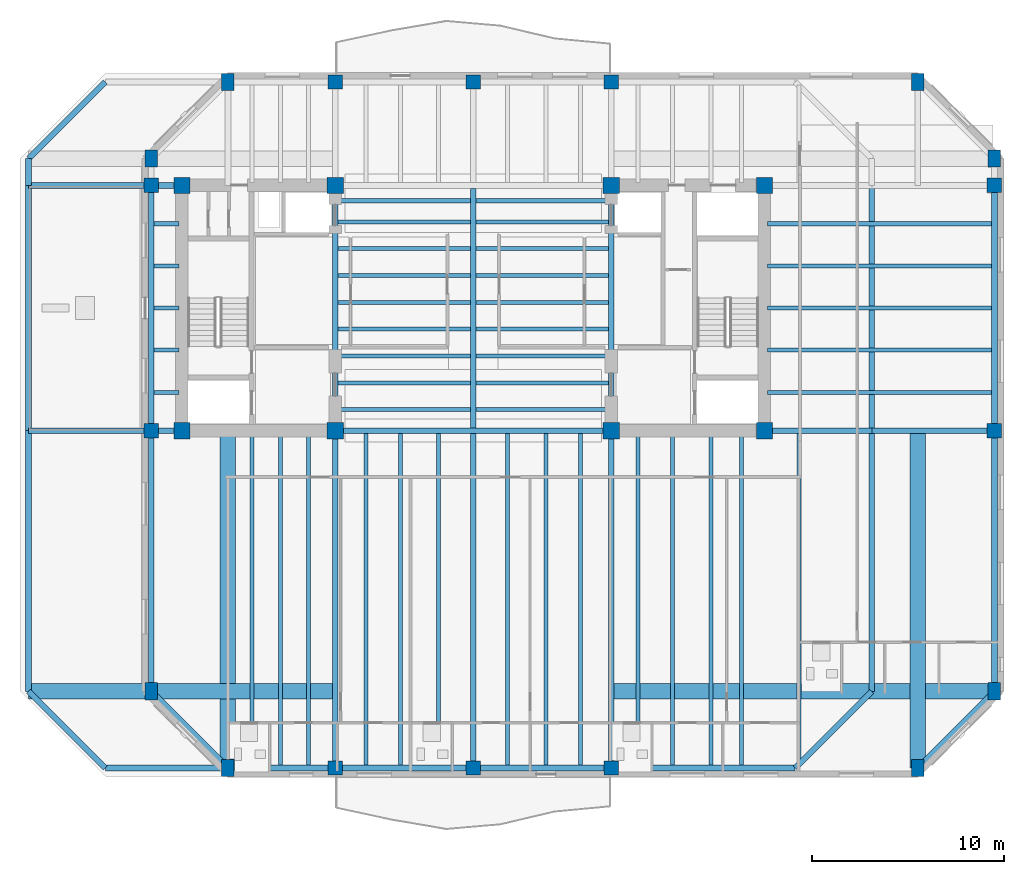
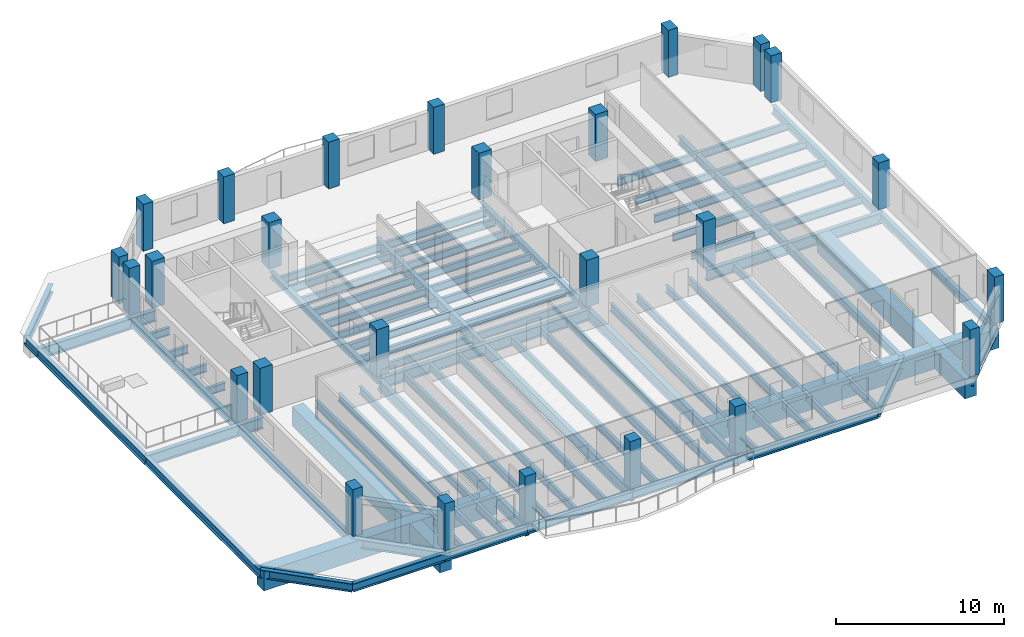
# One storey, part 1 of 11: 75 beams, 26 columns.
"""IFC4 building model written with IfcOpenShell, lengths in metres."""

from ifc_helpers import new_model, si_unit, direction, frame, origin, origin_2d, place, context, subcontext, project, spatial, rectangle, i_section, extrude, material, material_profile, profile_set, type_object, element, save


model = new_model("IFC4")

# Units and contexts
model_context = context("Model", 3, precision=1e-05, world=origin(), true_north=direction((0.0, 1.0)))
body_context = subcontext(model_context, "Body", "Model", "MODEL_VIEW")
ifc_project = project(units=[si_unit("LENGTHUNIT", "METRE"), si_unit("AREAUNIT", "SQUARE_METRE"), si_unit("VOLUMEUNIT", "CUBIC_METRE"), si_unit("PLANEANGLEUNIT", "RADIAN"), si_unit("MASSUNIT", "GRAM", prefix="KILO")], contexts=[model_context])

# Site, building, storey
site_placement = place(None, origin())
site = spatial("IfcSite", under=ifc_project, at=site_placement, CompositionType="ELEMENT")
building_placement = place(site_placement, origin())
building = spatial("IfcBuilding", under=site, at=building_placement, Name="Kranthara Brick Stack", CompositionType="ELEMENT")
storey_placement = place(building_placement, frame((0.0, 0.0, 227.89990234375)))
storey = spatial("IfcBuildingStorey", under=building, at=storey_placement, Name="L59", CompositionType="ELEMENT", Elevation=227.89990234375)

# Columns
ifc_material_1 = material(Name="Concrete C50/60", Category="concrete")
ifc_material_profile_1 = material_profile(ifc_material_1, rectangle(XDim=0.64990234375, YDim=0.89990234375, at=origin_2d()), Name="RC 650x900")
ifc_profile_set_1 = profile_set([ifc_material_profile_1], Name="Concrete C50/60")
column_type_1 = type_object("IfcColumnType", Name="COL-CHAM-650x900", PredefinedType="COLUMN", material=ifc_profile_set_1)
for number, where, z_axis, x_axis, name in (
    (1, (15.199951171875, 3.199951171875, 0.0), (0.0, 0.0, 1.0), (1.0, 0.0, 0.0), "L59 Column 09"),
    (2, (15.199951171875, 39.0, 0.0), (0.0, 0.0, 1.0), (1.0, 0.0, 0.0), "L59 Column 10"),
    (3, (51.199951171875, 3.199951171875, 0.0), (0.0, 0.0, 1.0), (1.0, 0.0, 0.0), "L59 Column 17"),
    (4, (51.199951171875, 39.0, 0.0), (0.0, 0.0, 1.0), (1.0, 0.0, 0.0), "L59 Column 18"),
    (5, (11.199951171875, 7.199951171875, 0.0), (0.0, 0.0, 1.0), (1.0, 0.0, 0.0), "L59 Column 19"),
    (6, (55.199951171875, 7.199951171875, 0.0), (0.0, 0.0, 1.0), (1.0, 0.0, 0.0), "L59 Column 20"),
    (7, (11.199951171875, 35.0, 0.0), (0.0, 0.0, 1.0), (1.0, 0.0, 0.0), "L59 Column 25"),
    (8, (55.199951171875, 35.0, 0.0), (0.0, 0.0, 1.0), (1.0, 0.0, 0.0), "L59 Column 26"),
):
    element("IfcColumn", number, at=place(storey_placement, frame(where, z_axis=z_axis, x_axis=x_axis)), inside=storey, type_object=column_type_1, Name=name, PredefinedType="COLUMN", context=body_context, shape_type="SweptSolid", body=[
        extrude(rectangle(XDim=0.64990234375, YDim=0.89990234375, at=origin_2d()), origin(), (0.0, 0.0, 1.0), 3.400146484375),
    ])
ifc_material_2 = material(Name="Concrete C50/60", Category="concrete")
ifc_material_profile_2 = material_profile(ifc_material_2, rectangle(XDim=0.85009765625, YDim=0.85009765625, at=origin_2d()), Name="RC 850x850")
ifc_profile_set_2 = profile_set([ifc_material_profile_2], Name="Concrete C50/60")
column_type_2 = type_object("IfcColumnType", Name="COL-CORE-850", PredefinedType="COLUMN", material=ifc_profile_set_2)
for number, where, z_axis, x_axis, name in (
    (9, (12.800048828125, 20.800048828125, 0.0), (0.0, 0.0, 1.0), (1.0, 0.0, 0.0), "L59 Column 01"),
    (10, (20.800048828125, 20.800048828125, 0.0), (0.0, 0.0, 1.0), (1.0, 0.0, 0.0), "L59 Column 02"),
    (11, (12.800048828125, 33.60009765625, 0.0), (0.0, 0.0, 1.0), (1.0, 0.0, 0.0), "L59 Column 03"),
    (12, (20.800048828125, 33.60009765625, 0.0), (0.0, 0.0, 1.0), (1.0, 0.0, 0.0), "L59 Column 04"),
    (13, (35.199951171875, 20.800048828125, 0.0), (0.0, 0.0, 1.0), (1.0, 0.0, 0.0), "L59 Column 05"),
    (14, (43.199951171875, 20.800048828125, 0.0), (0.0, 0.0, 1.0), (1.0, 0.0, 0.0), "L59 Column 06"),
    (15, (35.199951171875, 33.60009765625, 0.0), (0.0, 0.0, 1.0), (1.0, 0.0, 0.0), "L59 Column 07"),
    (16, (43.199951171875, 33.60009765625, 0.0), (0.0, 0.0, 1.0), (1.0, 0.0, 0.0), "L59 Column 08"),
):
    element("IfcColumn", number, at=place(storey_placement, frame(where, z_axis=z_axis, x_axis=x_axis)), inside=storey, type_object=column_type_2, Name=name, PredefinedType="COLUMN", context=body_context, shape_type="SweptSolid", body=[
        extrude(rectangle(XDim=0.85009765625, YDim=0.85009765625, at=origin_2d()), origin(), (0.0, 0.0, 1.0), 3.400146484375),
    ])
ifc_material_3 = material(Name="Concrete C50/60", Category="concrete")
ifc_material_profile_3 = material_profile(ifc_material_3, rectangle(XDim=0.75, YDim=0.75, at=origin_2d()), Name="RC 750x750")
ifc_profile_set_3 = profile_set([ifc_material_profile_3], Name="Concrete C50/60")
column_type_3 = type_object("IfcColumnType", Name="COL-PER-750", PredefinedType="COLUMN", material=ifc_profile_set_3)
for number, where, z_axis, x_axis, name in (
    (17, (20.800048828125, 3.199951171875, 0.0), (0.0, 0.0, 1.0), (1.0, 0.0, 0.0), "L59 Column 11"),
    (18, (20.800048828125, 39.0, 0.0), (0.0, 0.0, 1.0), (1.0, 0.0, 0.0), "L59 Column 12"),
    (19, (28.0, 3.199951171875, 0.0), (0.0, 0.0, 1.0), (1.0, 0.0, 0.0), "L59 Column 13"),
    (20, (28.0, 39.0, 0.0), (0.0, 0.0, 1.0), (1.0, 0.0, 0.0), "L59 Column 14"),
    (21, (35.199951171875, 3.199951171875, 0.0), (0.0, 0.0, 1.0), (1.0, 0.0, 0.0), "L59 Column 15"),
    (22, (35.199951171875, 39.0, 0.0), (0.0, 0.0, 1.0), (1.0, 0.0, 0.0), "L59 Column 16"),
    (23, (11.199951171875, 20.800048828125, 0.0), (0.0, 0.0, 1.0), (1.0, 0.0, 0.0), "L59 Column 21"),
    (24, (55.199951171875, 20.800048828125, 0.0), (0.0, 0.0, 1.0), (1.0, 0.0, 0.0), "L59 Column 22"),
    (25, (11.199951171875, 33.60009765625, 0.0), (0.0, 0.0, 1.0), (1.0, 0.0, 0.0), "L59 Column 23"),
    (26, (55.199951171875, 33.60009765625, 0.0), (0.0, 0.0, 1.0), (1.0, 0.0, 0.0), "L59 Column 24"),
):
    element("IfcColumn", number, at=place(storey_placement, frame(where, z_axis=z_axis, x_axis=x_axis)), inside=storey, type_object=column_type_3, Name=name, PredefinedType="COLUMN", context=body_context, shape_type="SweptSolid", body=[
        extrude(rectangle(XDim=0.75, YDim=0.75, at=origin_2d()), origin(), (0.0, 0.0, 1.0), 3.400146484375),
    ])

# Beams
ifc_material_4 = material(Name="Steel S355", Category="steel")
ifc_material_profile_4 = material_profile(ifc_material_4, i_section(OverallWidth=0.2099609375, OverallDepth=0.550048828125, WebThickness=0.010986328125, FlangeThickness=0.01708984375, at=origin_2d()), Name="IPE 550")
ifc_profile_set_4 = profile_set([ifc_material_profile_4], Name="Steel S355")
beam_type_1 = type_object("IfcBeamType", Name="BM-JST-IPE550", PredefinedType="JOIST", material=ifc_profile_set_4)
for number, where, z_axis, x_axis, name in (
    (27, (20.949951171875, 21.89990234375, -0.724853515625), (1.0, 0.0, 0.0), (0.0, 1.0, 0.0), "L59 Central Floor Joist 054"),
    (28, (28.14990234375, 21.89990234375, -0.724853515625), (1.0, 0.0, 0.0), (0.0, 1.0, 0.0), "L59 Central Floor Joist 055"),
    (29, (20.949951171875, 23.300048828125, -0.724853515625), (1.0, 0.0, 0.0), (0.0, 1.0, 0.0), "L59 Central Floor Joist 056"),
    (30, (28.14990234375, 23.300048828125, -0.724853515625), (1.0, 0.0, 0.0), (0.0, 1.0, 0.0), "L59 Central Floor Joist 057"),
    (31, (20.949951171875, 24.699951171875, -0.724853515625), (1.0, 0.0, 0.0), (0.0, 1.0, 0.0), "L59 Central Floor Joist 058"),
    (32, (28.14990234375, 24.699951171875, -0.724853515625), (1.0, 0.0, 0.0), (0.0, 1.0, 0.0), "L59 Central Floor Joist 059"),
    (33, (20.949951171875, 26.10009765625, -0.724853515625), (1.0, 0.0, 0.0), (0.0, 1.0, 0.0), "L59 Central Floor Joist 060"),
    (34, (28.14990234375, 26.10009765625, -0.724853515625), (1.0, 0.0, 0.0), (0.0, 1.0, 0.0), "L59 Central Floor Joist 061"),
    (35, (20.949951171875, 27.5, -0.724853515625), (1.0, 0.0, 0.0), (0.0, 1.0, 0.0), "L59 Central Floor Joist 062"),
    (36, (28.14990234375, 27.5, -0.724853515625), (1.0, 0.0, 0.0), (0.0, 1.0, 0.0), "L59 Central Floor Joist 063"),
    (37, (20.949951171875, 28.89990234375, -0.724853515625), (1.0, 0.0, 0.0), (0.0, 1.0, 0.0), "L59 Central Floor Joist 064"),
    (38, (28.14990234375, 28.89990234375, -0.724853515625), (1.0, 0.0, 0.0), (0.0, 1.0, 0.0), "L59 Central Floor Joist 065"),
    (39, (20.949951171875, 30.300048828125, -0.724853515625), (1.0, 0.0, 0.0), (0.0, 1.0, 0.0), "L59 Central Floor Joist 066"),
    (40, (28.14990234375, 30.300048828125, -0.724853515625), (1.0, 0.0, 0.0), (0.0, 1.0, 0.0), "L59 Central Floor Joist 067"),
    (41, (20.949951171875, 31.699951171875, -0.724853515625), (1.0, 0.0, 0.0), (0.0, 1.0, 0.0), "L59 Central Floor Joist 068"),
    (42, (28.14990234375, 31.699951171875, -0.724853515625), (1.0, 0.0, 0.0), (0.0, 1.0, 0.0), "L59 Central Floor Joist 069"),
    (43, (20.949951171875, 32.800048828125, -0.724853515625), (1.0, 0.0, 0.0), (0.0, 1.0, 0.0), "L59 Central Floor Joist 070"),
    (44, (28.14990234375, 32.800048828125, -0.724853515625), (1.0, 0.0, 0.0), (0.0, 1.0, 0.0), "L59 Central Floor Joist 071"),
):
    element("IfcBeam", number, at=place(storey_placement, frame(where, z_axis=z_axis, x_axis=x_axis)), inside=storey, type_object=beam_type_1, Name=name, PredefinedType="JOIST", context=body_context, shape_type="SweptSolid", body=[
        extrude(i_section(OverallWidth=0.2099609375, OverallDepth=0.550048828125, WebThickness=0.010986328125, FlangeThickness=0.01708984375, at=origin_2d()), origin(), (0.0, 0.0, 1.0), 6.900146484375),
    ])
for number, where, z_axis, x_axis, name in (
    (45, (16.449951171875, 3.35009765625, -0.724853515625), (0.0, 1.0, 0.0), (-1.0, 0.0, 0.0), "L59 South Wing Floor Joist 072"),
    (46, (17.949951171875, 3.35009765625, -0.724853515625), (0.0, 1.0, 0.0), (-1.0, 0.0, 0.0), "L59 South Wing Floor Joist 074"),
    (47, (19.39990234375, 3.35009765625, -0.724853515625), (0.0, 1.0, 0.0), (-1.0, 0.0, 0.0), "L59 South Wing Floor Joist 076"),
    (48, (22.39990234375, 3.35009765625, -0.724853515625), (0.0, 1.0, 0.0), (-1.0, 0.0, 0.0), "L59 South Wing Floor Joist 078"),
    (49, (24.199951171875, 3.35009765625, -0.724853515625), (0.0, 1.0, 0.0), (-1.0, 0.0, 0.0), "L59 South Wing Floor Joist 080"),
    (50, (26.199951171875, 3.35009765625, -0.724853515625), (0.0, 1.0, 0.0), (-1.0, 0.0, 0.0), "L59 South Wing Floor Joist 082"),
    (51, (29.800048828125, 3.35009765625, -0.724853515625), (0.0, 1.0, 0.0), (-1.0, 0.0, 0.0), "L59 South Wing Floor Joist 084"),
    (52, (31.800048828125, 3.35009765625, -0.724853515625), (0.0, 1.0, 0.0), (-1.0, 0.0, 0.0), "L59 South Wing Floor Joist 086"),
    (53, (33.60009765625, 3.35009765625, -0.724853515625), (0.0, 1.0, 0.0), (-1.0, 0.0, 0.0), "L59 South Wing Floor Joist 088"),
    (54, (36.60009765625, 3.35009765625, -0.724853515625), (0.0, 1.0, 0.0), (-1.0, 0.0, 0.0), "L59 South Wing Floor Joist 090"),
    (55, (38.39990234375, 3.35009765625, -0.724853515625), (0.0, 1.0, 0.0), (-1.0, 0.0, 0.0), "L59 South Wing Floor Joist 092"),
    (56, (40.39990234375, 3.35009765625, -0.724853515625), (0.0, 1.0, 0.0), (-1.0, 0.0, 0.0), "L59 South Wing Floor Joist 094"),
    (57, (42.0, 3.35009765625, -0.724853515625), (0.0, 1.0, 0.0), (-1.0, 0.0, 0.0), "L59 South Wing Floor Joist 096"),
    (58, (45.0, 3.35009765625, -0.724853515625), (0.0, 1.0, 0.0), (-1.0, 0.0, 0.0), "L59 South Wing Floor Joist 098"),
):
    element("IfcBeam", number, at=place(storey_placement, frame(where, z_axis=z_axis, x_axis=x_axis)), inside=storey, type_object=beam_type_1, Name=name, PredefinedType="JOIST", context=body_context, shape_type="SweptSolid", body=[
        extrude(i_section(OverallWidth=0.2099609375, OverallDepth=0.550048828125, WebThickness=0.010986328125, FlangeThickness=0.01708984375, at=origin_2d()), origin(), (0.0, 0.0, 1.0), 17.2998046875),
    ])
beam_1_placement = place(storey_placement, frame((11.35009765625, 22.800048828125, -0.724853515625), z_axis=(1.0, 0.0, 0.0), x_axis=(0.0, 1.0, 0.0)))
element("IfcBeam", 59, at=beam_1_placement, inside=storey, type_object=beam_type_1, Name="L59 West Wing Floor Joist 100", PredefinedType="JOIST", context=body_context, shape_type="SweptSolid", body=[
    extrude(i_section(OverallWidth=0.2099609375, OverallDepth=0.550048828125, WebThickness=0.010986328125, FlangeThickness=0.01708984375, at=origin_2d()), origin(), (0.0, 0.0, 1.0), 1.2998046875),
])
beam_2_placement = place(storey_placement, frame((43.35009765625, 22.800048828125, -0.724853515625), z_axis=(1.0, 0.0, 0.0), x_axis=(0.0, 1.0, 0.0)))
element("IfcBeam", 60, at=beam_2_placement, inside=storey, type_object=beam_type_1, Name="L59 East Wing Floor Joist 101", PredefinedType="JOIST", context=body_context, shape_type="SweptSolid", body=[
    extrude(i_section(OverallWidth=0.2099609375, OverallDepth=0.550048828125, WebThickness=0.010986328125, FlangeThickness=0.01708984375, at=origin_2d()), origin(), (0.0, 0.0, 1.0), 11.699951171875),
])
beam_3_placement = place(storey_placement, frame((11.35009765625, 25.0, -0.724853515625), z_axis=(1.0, 0.0, 0.0), x_axis=(0.0, 1.0, 0.0)))
element("IfcBeam", 61, at=beam_3_placement, inside=storey, type_object=beam_type_1, Name="L59 West Wing Floor Joist 102", PredefinedType="JOIST", context=body_context, shape_type="SweptSolid", body=[
    extrude(i_section(OverallWidth=0.2099609375, OverallDepth=0.550048828125, WebThickness=0.010986328125, FlangeThickness=0.01708984375, at=origin_2d()), origin(), (0.0, 0.0, 1.0), 1.2998046875),
])
beam_4_placement = place(storey_placement, frame((43.35009765625, 25.0, -0.724853515625), z_axis=(1.0, 0.0, 0.0), x_axis=(0.0, 1.0, 0.0)))
element("IfcBeam", 62, at=beam_4_placement, inside=storey, type_object=beam_type_1, Name="L59 East Wing Floor Joist 103", PredefinedType="JOIST", context=body_context, shape_type="SweptSolid", body=[
    extrude(i_section(OverallWidth=0.2099609375, OverallDepth=0.550048828125, WebThickness=0.010986328125, FlangeThickness=0.01708984375, at=origin_2d()), origin(), (0.0, 0.0, 1.0), 11.699951171875),
])
beam_5_placement = place(storey_placement, frame((11.35009765625, 27.199951171875, -0.724853515625), z_axis=(1.0, 0.0, 0.0), x_axis=(0.0, 1.0, 0.0)))
element("IfcBeam", 63, at=beam_5_placement, inside=storey, type_object=beam_type_1, Name="L59 West Wing Floor Joist 104", PredefinedType="JOIST", context=body_context, shape_type="SweptSolid", body=[
    extrude(i_section(OverallWidth=0.2099609375, OverallDepth=0.550048828125, WebThickness=0.010986328125, FlangeThickness=0.01708984375, at=origin_2d()), origin(), (0.0, 0.0, 1.0), 1.2998046875),
])
beam_6_placement = place(storey_placement, frame((43.35009765625, 27.199951171875, -0.724853515625), z_axis=(1.0, 0.0, 0.0), x_axis=(0.0, 1.0, 0.0)))
element("IfcBeam", 64, at=beam_6_placement, inside=storey, type_object=beam_type_1, Name="L59 East Wing Floor Joist 105", PredefinedType="JOIST", context=body_context, shape_type="SweptSolid", body=[
    extrude(i_section(OverallWidth=0.2099609375, OverallDepth=0.550048828125, WebThickness=0.010986328125, FlangeThickness=0.01708984375, at=origin_2d()), origin(), (0.0, 0.0, 1.0), 11.699951171875),
])
beam_7_placement = place(storey_placement, frame((11.35009765625, 29.39990234375, -0.724853515625), z_axis=(1.0, 0.0, 0.0), x_axis=(0.0, 1.0, 0.0)))
element("IfcBeam", 65, at=beam_7_placement, inside=storey, type_object=beam_type_1, Name="L59 West Wing Floor Joist 106", PredefinedType="JOIST", context=body_context, shape_type="SweptSolid", body=[
    extrude(i_section(OverallWidth=0.2099609375, OverallDepth=0.550048828125, WebThickness=0.010986328125, FlangeThickness=0.01708984375, at=origin_2d()), origin(), (0.0, 0.0, 1.0), 1.2998046875),
])
beam_8_placement = place(storey_placement, frame((43.35009765625, 29.39990234375, -0.724853515625), z_axis=(1.0, 0.0, 0.0), x_axis=(0.0, 1.0, 0.0)))
element("IfcBeam", 66, at=beam_8_placement, inside=storey, type_object=beam_type_1, Name="L59 East Wing Floor Joist 107", PredefinedType="JOIST", context=body_context, shape_type="SweptSolid", body=[
    extrude(i_section(OverallWidth=0.2099609375, OverallDepth=0.550048828125, WebThickness=0.010986328125, FlangeThickness=0.01708984375, at=origin_2d()), origin(), (0.0, 0.0, 1.0), 11.699951171875),
])
beam_9_placement = place(storey_placement, frame((11.35009765625, 31.60009765625, -0.724853515625), z_axis=(1.0, 0.0, 0.0), x_axis=(0.0, 1.0, 0.0)))
element("IfcBeam", 67, at=beam_9_placement, inside=storey, type_object=beam_type_1, Name="L59 West Wing Floor Joist 108", PredefinedType="JOIST", context=body_context, shape_type="SweptSolid", body=[
    extrude(i_section(OverallWidth=0.2099609375, OverallDepth=0.550048828125, WebThickness=0.010986328125, FlangeThickness=0.01708984375, at=origin_2d()), origin(), (0.0, 0.0, 1.0), 1.2998046875),
])
beam_10_placement = place(storey_placement, frame((43.35009765625, 31.60009765625, -0.724853515625), z_axis=(1.0, 0.0, 0.0), x_axis=(0.0, 1.0, 0.0)))
element("IfcBeam", 68, at=beam_10_placement, inside=storey, type_object=beam_type_1, Name="L59 East Wing Floor Joist 109", PredefinedType="JOIST", context=body_context, shape_type="SweptSolid", body=[
    extrude(i_section(OverallWidth=0.2099609375, OverallDepth=0.550048828125, WebThickness=0.010986328125, FlangeThickness=0.01708984375, at=origin_2d()), origin(), (0.0, 0.0, 1.0), 11.699951171875),
])
ifc_material_5 = material(Name="Steel S355", Category="steel")
ifc_material_profile_5 = material_profile(ifc_material_5, i_section(OverallWidth=0.300048828125, OverallDepth=0.449951171875, WebThickness=0.013916015625, FlangeThickness=0.02587890625, at=origin_2d()), Name="HEB 450")
ifc_profile_set_5 = profile_set([ifc_material_profile_5], Name="Steel S355")
beam_type_2 = type_object("IfcBeamType", Name="BM-STL-HEB450", PredefinedType="SPANDREL", material=ifc_profile_set_5)
for number, where, z_axis, x_axis, name in (
    (69, (20.800048828125, 20.800048828125, -0.6748046875), (0.0, 1.0, 0.0), (-1.0, 0.0, 0.0), "L59 Core Edge Tie Beam 003"),
    (70, (35.199951171875, 20.800048828125, -0.6748046875), (0.0, 1.0, 0.0), (-1.0, 0.0, 0.0), "L59 Core Edge Tie Beam 004"),
):
    element("IfcBeam", number, at=place(storey_placement, frame(where, z_axis=z_axis, x_axis=x_axis)), inside=storey, type_object=beam_type_2, Name=name, PredefinedType="SPANDREL", context=body_context, shape_type="SweptSolid", body=[
        extrude(i_section(OverallWidth=0.300048828125, OverallDepth=0.449951171875, WebThickness=0.013916015625, FlangeThickness=0.02587890625, at=origin_2d()), origin(), (0.0, 0.0, 1.0), 12.800048828125),
    ])
ifc_material_6 = material(Name="Steel S355", Category="steel")
ifc_material_profile_6 = material_profile(ifc_material_6, i_section(OverallWidth=0.300048828125, OverallDepth=0.60009765625, WebThickness=0.015380859375, FlangeThickness=0.030029296875, at=origin_2d()), Name="HEB 600")
ifc_profile_set_6 = profile_set([ifc_material_profile_6], Name="Steel S355")
beam_type_3 = type_object("IfcBeamType", Name="BM-STL-HEB600", PredefinedType="BEAM", material=ifc_profile_set_6)
beam_11_placement = place(storey_placement, frame((8.800048828125, 3.199951171875, -0.75), z_axis=(1.0, 0.0, 0.0), x_axis=(0.0, 1.0, 0.0)))
element("IfcBeam", 71, at=beam_11_placement, inside=storey, type_object=beam_type_3, Name="L59 Perimeter Spandrel Beam 005", PredefinedType="BEAM", context=body_context, shape_type="SweptSolid", body=[
    extrude(i_section(OverallWidth=0.300048828125, OverallDepth=0.60009765625, WebThickness=0.015380859375, FlangeThickness=0.030029296875, at=origin_2d()), origin(), (0.0, 0.0, 1.0), 12.0),
])
for number, where, z_axis, x_axis, name in (
    (72, (20.800048828125, 3.199951171875, -0.75), (1.0, 0.0, 0.0), (0.0, 1.0, 0.0), "L59 Perimeter Spandrel Beam 006"),
    (73, (28.0, 3.199951171875, -0.75), (1.0, 0.0, 0.0), (0.0, 1.0, 0.0), "L59 Perimeter Spandrel Beam 007"),
):
    element("IfcBeam", number, at=place(storey_placement, frame(where, z_axis=z_axis, x_axis=x_axis)), inside=storey, type_object=beam_type_3, Name=name, PredefinedType="BEAM", context=body_context, shape_type="SweptSolid", body=[
        extrude(i_section(OverallWidth=0.300048828125, OverallDepth=0.60009765625, WebThickness=0.015380859375, FlangeThickness=0.030029296875, at=origin_2d()), origin(), (0.0, 0.0, 1.0), 7.199951171875),
    ])
beam_12_placement = place(storey_placement, frame((35.199951171875, 3.199951171875, -0.75), z_axis=(1.0, 0.0, 0.0), x_axis=(0.0, 1.0, 0.0)))
element("IfcBeam", 74, at=beam_12_placement, inside=storey, type_object=beam_type_3, Name="L59 Perimeter Spandrel Beam 008", PredefinedType="BEAM", context=body_context, shape_type="SweptSolid", body=[
    extrude(i_section(OverallWidth=0.300048828125, OverallDepth=0.60009765625, WebThickness=0.015380859375, FlangeThickness=0.030029296875, at=origin_2d()), origin(), (0.0, 0.0, 1.0), 9.60009765625),
])
beam_13_placement = place(storey_placement, frame((4.800048828125, 7.199951171875, -0.75), z_axis=(0.0, 1.0, 0.0), x_axis=(-1.0, 0.0, 0.0)))
element("IfcBeam", 75, at=beam_13_placement, inside=storey, type_object=beam_type_3, Name="L59 Perimeter Spandrel Beam 013", PredefinedType="BEAM", context=body_context, shape_type="SweptSolid", body=[
    extrude(i_section(OverallWidth=0.300048828125, OverallDepth=0.60009765625, WebThickness=0.015380859375, FlangeThickness=0.030029296875, at=origin_2d()), origin(), (0.0, 0.0, 1.0), 13.60009765625),
])
beam_14_placement = place(storey_placement, frame((4.800048828125, 20.800048828125, -0.75), z_axis=(0.0, 1.0, 0.0), x_axis=(-1.0, 0.0, 0.0)))
element("IfcBeam", 76, at=beam_14_placement, inside=storey, type_object=beam_type_3, Name="L59 Perimeter Spandrel Beam 014", PredefinedType="BEAM", context=body_context, shape_type="SweptSolid", body=[
    extrude(i_section(OverallWidth=0.300048828125, OverallDepth=0.60009765625, WebThickness=0.015380859375, FlangeThickness=0.030029296875, at=origin_2d()), origin(), (0.0, 0.0, 1.0), 12.800048828125),
])
beam_15_placement = place(storey_placement, frame((4.800048828125, 33.60009765625, -0.75), z_axis=(0.0, 1.0, 0.0), x_axis=(-1.0, 0.0, 0.0)))
element("IfcBeam", 77, at=beam_15_placement, inside=storey, type_object=beam_type_3, Name="L59 Perimeter Spandrel Beam 015", PredefinedType="BEAM", context=body_context, shape_type="SweptSolid", body=[
    extrude(i_section(OverallWidth=0.300048828125, OverallDepth=0.60009765625, WebThickness=0.015380859375, FlangeThickness=0.030029296875, at=origin_2d()), origin(), (0.0, 0.0, 1.0), 1.39990234375),
])
beam_16_placement = place(storey_placement, frame((48.800048828125, 7.199951171875, -0.75), z_axis=(0.0, 1.0, 0.0), x_axis=(-1.0, 0.0, 0.0)))
element("IfcBeam", 78, at=beam_16_placement, inside=storey, type_object=beam_type_3, Name="L59 Perimeter Spandrel Beam 016", PredefinedType="BEAM", context=body_context, shape_type="SweptSolid", body=[
    extrude(i_section(OverallWidth=0.300048828125, OverallDepth=0.60009765625, WebThickness=0.015380859375, FlangeThickness=0.030029296875, at=origin_2d()), origin(), (0.0, 0.0, 1.0), 13.60009765625),
])
beam_17_placement = place(storey_placement, frame((48.800048828125, 20.800048828125, -0.75), z_axis=(0.0, 1.0, 0.0), x_axis=(-1.0, 0.0, 0.0)))
element("IfcBeam", 79, at=beam_17_placement, inside=storey, type_object=beam_type_3, Name="L59 Perimeter Spandrel Beam 017", PredefinedType="BEAM", context=body_context, shape_type="SweptSolid", body=[
    extrude(i_section(OverallWidth=0.300048828125, OverallDepth=0.60009765625, WebThickness=0.015380859375, FlangeThickness=0.030029296875, at=origin_2d()), origin(), (0.0, 0.0, 1.0), 12.800048828125),
])
for number, where, z_axis, x_axis, name in (
    (80, (8.800048828125, 3.199951171875, -0.75), (-0.707106781187, 0.707106781187, 0.0), (-0.707106781187, -0.707106781187, 0.0), "L59 Chamfer Corner Spandrel 019"),
    (81, (44.800048828125, 3.199951171875, -0.75), (0.707106781187, 0.707106781187, 0.0), (-0.707106781187, 0.707106781187, 0.0), "L59 Chamfer Corner Spandrel 020"),
    (82, (8.800048828125, 39.0, -0.75), (-0.707106781187, -0.707106781187, 0.0), (0.707106781187, -0.707106781187, 0.0), "L59 Chamfer Corner Spandrel 021"),
):
    element("IfcBeam", number, at=place(storey_placement, frame(where, z_axis=z_axis, x_axis=x_axis)), inside=storey, type_object=beam_type_3, Name=name, PredefinedType="BEAM", context=body_context, shape_type="SweptSolid", body=[
        extrude(i_section(OverallWidth=0.300048828125, OverallDepth=0.60009765625, WebThickness=0.015380859375, FlangeThickness=0.030029296875, at=origin_2d()), origin(), (0.0, 0.0, 1.0), 5.65673828125),
    ])
beam_18_placement = place(storey_placement, frame((11.199951171875, 7.199951171875, -0.75), z_axis=(0.0, 1.0, 0.0), x_axis=(-1.0, 0.0, 0.0)))
element("IfcBeam", 83, at=beam_18_placement, inside=storey, type_object=beam_type_3, Name="L59 Perimeter Spandrel Beam 023", PredefinedType="BEAM", context=body_context, shape_type="SweptSolid", body=[
    extrude(i_section(OverallWidth=0.300048828125, OverallDepth=0.60009765625, WebThickness=0.015380859375, FlangeThickness=0.030029296875, at=origin_2d()), origin(), (0.0, 0.0, 1.0), 13.60009765625),
])
beam_19_placement = place(storey_placement, frame((11.199951171875, 20.800048828125, -0.75), z_axis=(0.0, 1.0, 0.0), x_axis=(-1.0, 0.0, 0.0)))
element("IfcBeam", 84, at=beam_19_placement, inside=storey, type_object=beam_type_3, Name="L59 Perimeter Spandrel Beam 024", PredefinedType="BEAM", context=body_context, shape_type="SweptSolid", body=[
    extrude(i_section(OverallWidth=0.300048828125, OverallDepth=0.60009765625, WebThickness=0.015380859375, FlangeThickness=0.030029296875, at=origin_2d()), origin(), (0.0, 0.0, 1.0), 12.800048828125),
])
beam_20_placement = place(storey_placement, frame((55.199951171875, 7.199951171875, -0.75), z_axis=(0.0, 1.0, 0.0), x_axis=(-1.0, 0.0, 0.0)))
element("IfcBeam", 85, at=beam_20_placement, inside=storey, type_object=beam_type_3, Name="L59 Perimeter Spandrel Beam 026", PredefinedType="BEAM", context=body_context, shape_type="SweptSolid", body=[
    extrude(i_section(OverallWidth=0.300048828125, OverallDepth=0.60009765625, WebThickness=0.015380859375, FlangeThickness=0.030029296875, at=origin_2d()), origin(), (0.0, 0.0, 1.0), 13.60009765625),
])
beam_21_placement = place(storey_placement, frame((55.199951171875, 20.800048828125, -0.75), z_axis=(0.0, 1.0, 0.0), x_axis=(-1.0, 0.0, 0.0)))
element("IfcBeam", 86, at=beam_21_placement, inside=storey, type_object=beam_type_3, Name="L59 Perimeter Spandrel Beam 027", PredefinedType="BEAM", context=body_context, shape_type="SweptSolid", body=[
    extrude(i_section(OverallWidth=0.300048828125, OverallDepth=0.60009765625, WebThickness=0.015380859375, FlangeThickness=0.030029296875, at=origin_2d()), origin(), (0.0, 0.0, 1.0), 12.800048828125),
])
for number, where, z_axis, x_axis, name in (
    (87, (15.199951171875, 3.199951171875, -0.75), (-0.707106781187, 0.707106781187, 0.0), (-0.707106781187, -0.707106781187, 0.0), "L59 Chamfer Corner Spandrel 029"),
    (88, (51.199951171875, 3.199951171875, -0.75), (0.707106781187, 0.707106781187, 0.0), (-0.707106781187, 0.707106781187, 0.0), "L59 Chamfer Corner Spandrel 030"),
):
    element("IfcBeam", number, at=place(storey_placement, frame(where, z_axis=z_axis, x_axis=x_axis)), inside=storey, type_object=beam_type_3, Name=name, PredefinedType="BEAM", context=body_context, shape_type="SweptSolid", body=[
        extrude(i_section(OverallWidth=0.300048828125, OverallDepth=0.60009765625, WebThickness=0.015380859375, FlangeThickness=0.030029296875, at=origin_2d()), origin(), (0.0, 0.0, 1.0), 5.65673828125),
    ])
ifc_material_7 = material(Name="Steel S355", Category="steel")
ifc_material_profile_7 = material_profile(ifc_material_7, i_section(OverallWidth=0.300048828125, OverallDepth=0.800048828125, WebThickness=0.017578125, FlangeThickness=0.032958984375, at=origin_2d()), Name="HEB 800")
ifc_profile_set_7 = profile_set([ifc_material_profile_7], Name="Steel S355")
beam_type_4 = type_object("IfcBeamType", Name="BM-TR-HEB800", PredefinedType="BEAM", material=ifc_profile_set_7)
beam_22_placement = place(storey_placement, frame((20.800048828125, 20.800048828125, -0.849853515625), z_axis=(1.0, 0.0, 0.0), x_axis=(0.0, 1.0, 0.0)))
element("IfcBeam", 89, at=beam_22_placement, inside=storey, type_object=beam_type_4, Name="L59 Core Coupling Beam 001", PredefinedType="BEAM", context=body_context, shape_type="SweptSolid", body=[
    extrude(i_section(OverallWidth=0.300048828125, OverallDepth=0.800048828125, WebThickness=0.017578125, FlangeThickness=0.032958984375, at=origin_2d()), origin(), (0.0, 0.0, 1.0), 14.39990234375),
])
beam_23_placement = place(storey_placement, frame((20.800048828125, 3.199951171875, -0.849853515625), z_axis=(0.0, 1.0, 0.0), x_axis=(-1.0, 0.0, 0.0)))
element("IfcBeam", 90, at=beam_23_placement, inside=storey, type_object=beam_type_4, Name="L59 Primary Grid Girder 033", PredefinedType="BEAM", context=body_context, shape_type="SweptSolid", body=[
    extrude(i_section(OverallWidth=0.300048828125, OverallDepth=0.800048828125, WebThickness=0.017578125, FlangeThickness=0.032958984375, at=origin_2d()), origin(), (0.0, 0.0, 1.0), 17.60009765625),
])
beam_24_placement = place(storey_placement, frame((28.0, 3.199951171875, -0.849853515625), z_axis=(0.0, 1.0, 0.0), x_axis=(-1.0, 0.0, 0.0)))
element("IfcBeam", 91, at=beam_24_placement, inside=storey, type_object=beam_type_4, Name="L59 Primary Grid Girder 035", PredefinedType="BEAM", context=body_context, shape_type="SweptSolid", body=[
    extrude(i_section(OverallWidth=0.300048828125, OverallDepth=0.800048828125, WebThickness=0.017578125, FlangeThickness=0.032958984375, at=origin_2d()), origin(), (0.0, 0.0, 1.0), 17.449951171875),
])
beam_25_placement = place(storey_placement, frame((28.0, 20.949951171875, -0.849853515625), z_axis=(0.0, 1.0, 0.0), x_axis=(-1.0, 0.0, 0.0)))
element("IfcBeam", 92, at=beam_25_placement, inside=storey, type_object=beam_type_4, Name="L59 Central Spine Girder 036", PredefinedType="BEAM", context=body_context, shape_type="SweptSolid", body=[
    extrude(i_section(OverallWidth=0.300048828125, OverallDepth=0.800048828125, WebThickness=0.017578125, FlangeThickness=0.032958984375, at=origin_2d()), origin(), (0.0, 0.0, 1.0), 12.5),
])
beam_26_placement = place(storey_placement, frame((35.199951171875, 3.199951171875, -0.849853515625), z_axis=(0.0, 1.0, 0.0), x_axis=(-1.0, 0.0, 0.0)))
element("IfcBeam", 93, at=beam_26_placement, inside=storey, type_object=beam_type_4, Name="L59 Primary Grid Girder 038", PredefinedType="BEAM", context=body_context, shape_type="SweptSolid", body=[
    extrude(i_section(OverallWidth=0.300048828125, OverallDepth=0.800048828125, WebThickness=0.017578125, FlangeThickness=0.032958984375, at=origin_2d()), origin(), (0.0, 0.0, 1.0), 17.60009765625),
])
beam_27_placement = place(storey_placement, frame((4.800048828125, 20.800048828125, -0.849853515625), z_axis=(1.0, 0.0, 0.0), x_axis=(0.0, 1.0, 0.0)))
element("IfcBeam", 94, at=beam_27_placement, inside=storey, type_object=beam_type_4, Name="L59 Primary Grid Girder 040", PredefinedType="BEAM", context=body_context, shape_type="SweptSolid", body=[
    extrude(i_section(OverallWidth=0.300048828125, OverallDepth=0.800048828125, WebThickness=0.017578125, FlangeThickness=0.032958984375, at=origin_2d()), origin(), (0.0, 0.0, 1.0), 8.0),
])
beam_28_placement = place(storey_placement, frame((43.199951171875, 20.800048828125, -0.849853515625), z_axis=(1.0, 0.0, 0.0), x_axis=(0.0, 1.0, 0.0)))
element("IfcBeam", 95, at=beam_28_placement, inside=storey, type_object=beam_type_4, Name="L59 Primary Grid Girder 041", PredefinedType="BEAM", context=body_context, shape_type="SweptSolid", body=[
    extrude(i_section(OverallWidth=0.300048828125, OverallDepth=0.800048828125, WebThickness=0.017578125, FlangeThickness=0.032958984375, at=origin_2d()), origin(), (0.0, 0.0, 1.0), 5.60009765625),
])
beam_29_placement = place(storey_placement, frame((48.800048828125, 20.800048828125, -0.849853515625), z_axis=(1.0, 0.0, 0.0), x_axis=(0.0, 1.0, 0.0)))
element("IfcBeam", 96, at=beam_29_placement, inside=storey, type_object=beam_type_4, Name="L59 Primary Grid Girder 042", PredefinedType="BEAM", context=body_context, shape_type="SweptSolid", body=[
    extrude(i_section(OverallWidth=0.300048828125, OverallDepth=0.800048828125, WebThickness=0.017578125, FlangeThickness=0.032958984375, at=origin_2d()), origin(), (0.0, 0.0, 1.0), 6.39990234375),
])
beam_30_placement = place(storey_placement, frame((4.800048828125, 33.60009765625, -0.849853515625), z_axis=(1.0, 0.0, 0.0), x_axis=(0.0, 1.0, 0.0)))
element("IfcBeam", 97, at=beam_30_placement, inside=storey, type_object=beam_type_4, Name="L59 Primary Grid Girder 043", PredefinedType="BEAM", context=body_context, shape_type="SweptSolid", body=[
    extrude(i_section(OverallWidth=0.300048828125, OverallDepth=0.800048828125, WebThickness=0.017578125, FlangeThickness=0.032958984375, at=origin_2d()), origin(), (0.0, 0.0, 1.0), 8.0),
])
ifc_material_8 = material(Name="Post-tensioned concrete C50/60", Category="concrete")
ifc_material_profile_8 = material_profile(ifc_material_8, rectangle(XDim=0.800048828125, YDim=1.39990234375, at=origin_2d()), Name="PT 800x1400")
ifc_profile_set_8 = profile_set([ifc_material_profile_8], Name="Post-tensioned concrete C50/60")
beam_type_5 = type_object("IfcBeamType", Name="BM-TR-PT1400", PredefinedType="T_BEAM", material=ifc_profile_set_8)
for number, where, z_axis, x_axis, name in (
    (98, (15.199951171875, 3.199951171875, -1.14990234375), (0.0, 1.0, 0.0), (-1.0, 0.0, 0.0), "L59 Transfer Tie Girder 046"),
    (99, (51.199951171875, 3.199951171875, -1.14990234375), (0.0, 1.0, 0.0), (-1.0, 0.0, 0.0), "L59 Transfer Tie Girder 048"),
):
    element("IfcBeam", number, at=place(storey_placement, frame(where, z_axis=z_axis, x_axis=x_axis)), inside=storey, type_object=beam_type_5, Name=name, PredefinedType="T_BEAM", context=body_context, shape_type="SweptSolid", body=[
        extrude(rectangle(XDim=0.800048828125, YDim=1.39990234375, at=origin_2d()), origin(), (0.0, 0.0, 1.0), 17.60009765625),
    ])
beam_31_placement = place(storey_placement, frame((4.800048828125, 7.199951171875, -1.14990234375), z_axis=(1.0, 0.0, 0.0), x_axis=(0.0, 1.0, 0.0)))
element("IfcBeam", 100, at=beam_31_placement, inside=storey, type_object=beam_type_5, Name="L59 Transfer Tie Girder 050", PredefinedType="T_BEAM", context=body_context, shape_type="SweptSolid", body=[
    extrude(rectangle(XDim=0.800048828125, YDim=1.39990234375, at=origin_2d()), origin(), (0.0, 0.0, 1.0), 16.0),
])
beam_32_placement = place(storey_placement, frame((55.199951171875, 7.199951171875, -1.14990234375), z_axis=(-1.0, 0.0, 0.0), x_axis=(0.0, -1.0, 0.0)))
element("IfcBeam", 101, at=beam_32_placement, inside=storey, type_object=beam_type_5, Name="L59 Transfer Tie Girder 051", PredefinedType="T_BEAM", context=body_context, shape_type="SweptSolid", body=[
    extrude(rectangle(XDim=0.800048828125, YDim=1.39990234375, at=origin_2d()), origin(), (0.0, 0.0, 1.0), 20.0),
])

save(model, "model.ifc")
